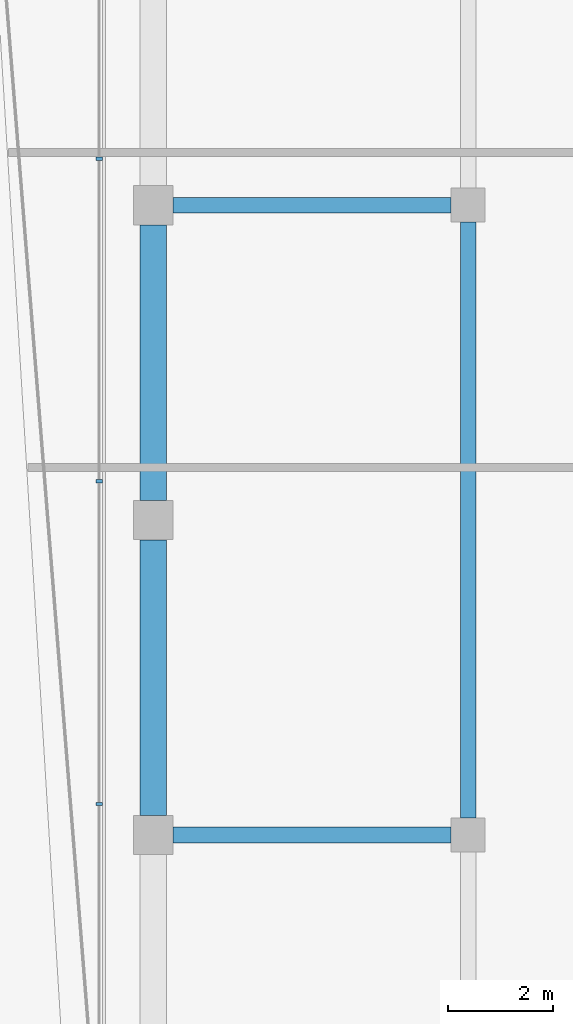
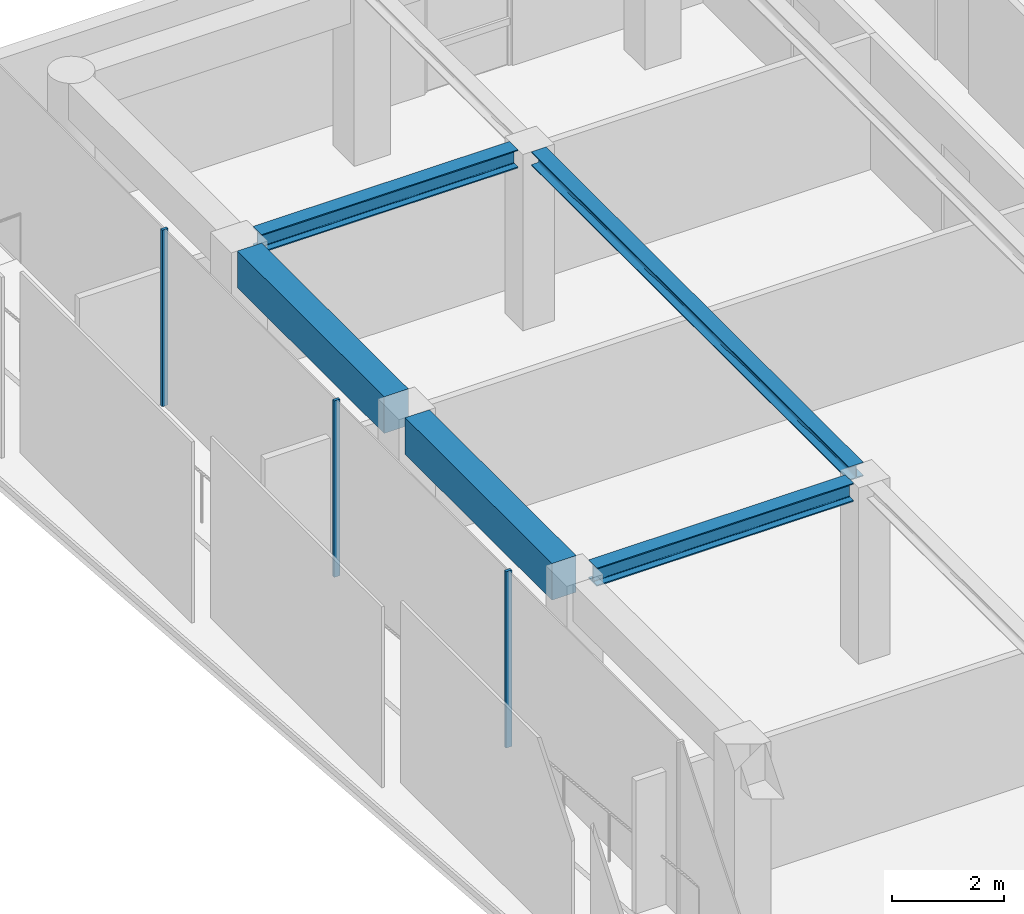
# One storey, part 11 of 21: 5 beams, 3 members, 1 element without a shape of its own.
"""IFC4 building model written with IfcOpenShell, lengths in metres."""

import ifcopenshell
import ifcopenshell.guid

model = None  # the IFC model being written
_history = None  # IfcOwnerHistory: only IFC2X3 demands one
_inside = {}  # id of a spatial element -> (the spatial element, [elements in it])
_under = {}  # id of a project, library or spatial element -> (it, [spatial elements below it])
_declared = {}  # id of a project -> (the project, [libraries it declares])
_typed = {}  # id of a type object -> (the type object, [elements of that type])
_made_of = {}  # id of a material, layer set ... -> (it, [elements and type objects made of it])


def new_model(schema):
    """Start an empty IFC model of exactly this schema.

    Asked for "IFC4X3", IfcOpenShell would pick the latest addendum, in which some entities
    have other attributes; the version numbers below select the first issue.
    IFC2X3 requires an IfcOwnerHistory on every rooted entity: one is made here for all.
    """
    global model, _history
    if schema == "IFC4X3":
        model = ifcopenshell.file(schema_version=(4, 3, 0, 0))
    else:
        model = ifcopenshell.file(schema=schema)
    _inside.clear()
    _under.clear()
    _declared.clear()
    _typed.clear()
    _made_of.clear()
    _history = None
    if model.schema == "IFC2X3":
        org = make("IfcOrganization", Name="unknown")
        user = make(
            "IfcPersonAndOrganization",
            ThePerson=make("IfcPerson", FamilyName="unknown"),
            TheOrganization=org,
        )
        app = make(
            "IfcApplication",
            ApplicationDeveloper=org,
            Version="unknown",
            ApplicationFullName="unknown",
            ApplicationIdentifier="unknown",
        )
        _history = make(
            "IfcOwnerHistory",
            OwningUser=user,
            OwningApplication=app,
            ChangeAction="ADDED",
            CreationDate=0,
        )
    return model


def make(cls, **values):
    """One entity of the class cls with the attributes given. An attribute that is None is left unset."""
    return model.create_entity(
        cls, **{name: value for name, value in values.items() if value is not None}
    )


def rooted(cls, **values):
    """An entity with a GlobalId (a new one), such as an element, a storey or a relation."""
    return make(cls, GlobalId=ifcopenshell.guid.new(), OwnerHistory=_history, **values)


def si_unit(unit_type, name, prefix=None):
    """IfcSIUnit, for example si_unit("LENGTHUNIT", "METRE", prefix="MILLI")."""
    return make("IfcSIUnit", UnitType=unit_type, Prefix=prefix, Name=name)


def assignment(units):
    """IfcUnitAssignment: the units of a project."""
    return None if units is None else make("IfcUnitAssignment", Units=units)


def point(xyz):
    """IfcCartesianPoint."""
    return None if xyz is None else make("IfcCartesianPoint", Coordinates=xyz)


def direction(xyz):
    """IfcDirection."""
    return None if xyz is None else make("IfcDirection", DirectionRatios=xyz)


def frame(location, z_axis=None, x_axis=None):
    """IfcAxis2Placement3D, a coordinate frame: its origin and axes. An axis left out is left unset."""
    return make(
        "IfcAxis2Placement3D",
        Location=point(location),
        Axis=direction(z_axis),
        RefDirection=direction(x_axis),
    )


def frame_2d(location, x_axis=None):
    """IfcAxis2Placement2D, a coordinate frame in the plane: its origin and x axis."""
    return make(
        "IfcAxis2Placement2D", Location=point(location), RefDirection=direction(x_axis)
    )


def origin():
    """The frame at (0, 0, 0) with its axes left unset."""
    return frame((0.0, 0.0, 0.0))


def origin_2d():
    """The frame at (0, 0) in the plane with its x axis left unset."""
    return frame_2d((0.0, 0.0))


def place(relative_to, where):
    """IfcLocalPlacement: puts the frame where relative to a parent placement (None: the world)."""
    return make(
        "IfcLocalPlacement", PlacementRelTo=relative_to, RelativePlacement=where
    )


def context(
    kind, dimensions, precision=None, world=None, true_north=None, identifier=None
):
    """IfcGeometricRepresentationContext, for example the 3D "Model" context."""
    return make(
        "IfcGeometricRepresentationContext",
        ContextIdentifier=identifier,
        ContextType=kind,
        CoordinateSpaceDimension=dimensions,
        Precision=precision,
        WorldCoordinateSystem=world,
        TrueNorth=true_north,
    )


def subcontext(parent, identifier, kind, view, scale=None):
    """IfcGeometricRepresentationSubContext, for example "Body" below "Model"."""
    return make(
        "IfcGeometricRepresentationSubContext",
        ContextIdentifier=identifier,
        ContextType=kind,
        ParentContext=parent,
        TargetScale=scale,
        TargetView=view,
    )


def project(units=None, contexts=None):
    """IfcProject with its units and contexts."""
    return rooted(
        "IfcProject",
        Name="project",
        RepresentationContexts=contexts,
        UnitsInContext=assignment(units),
    )


def spatial(cls, under=None, at=None, **own):
    """A site, building, storey or space (cls), placed at a placement, below another one or the project."""
    s = rooted(cls, ObjectPlacement=at, **own)
    if under is not None:
        _under.setdefault(under.id(), (under, []))[1].append(s)
    return s


def profile(cls, at=None, kind="AREA", **sizes):
    """A parametric profile (cls). Its sizes go by their IFC names, for example OverallWidth=200.0."""
    return make(cls, ProfileType=kind, Position=at, **sizes)


def rectangle(**sizes):
    """IfcRectangleProfileDef."""
    return profile("IfcRectangleProfileDef", **sizes)


def i_section(**sizes):
    """IfcIShapeProfileDef."""
    return profile("IfcIShapeProfileDef", **sizes)


def extrude(swept, where, along, depth):
    """IfcExtrudedAreaSolid: the profile swept, set in the frame where, extruded along a direction by depth."""
    return make(
        "IfcExtrudedAreaSolid",
        SweptArea=swept,
        Position=where,
        ExtrudedDirection=direction(along),
        Depth=depth,
    )


def shape(context_of_items, identifier, shape_type, items):
    """IfcShapeRepresentation: the items that make up one representation, for example the "Body"."""
    return make(
        "IfcShapeRepresentation",
        ContextOfItems=context_of_items,
        RepresentationIdentifier=identifier,
        RepresentationType=shape_type,
        Items=items,
    )


def material(Name=None, Category=None):
    """IfcMaterial."""
    return make("IfcMaterial", Name=Name, Category=Category)


def layer(
    of_material, thickness, ventilated=None, Name=None, Category=None, Priority=None
):
    """IfcMaterialLayer: one layer of a wall or slab, of a material (None: an air gap)."""
    return make(
        "IfcMaterialLayer",
        Material=of_material,
        LayerThickness=thickness,
        IsVentilated=ventilated,
        Name=Name,
        Category=Category,
        Priority=Priority,
    )


def layer_set(layers, Name=None):
    """IfcMaterialLayerSet."""
    return make("IfcMaterialLayerSet", MaterialLayers=layers, LayerSetName=Name)


def material_profile(
    of_material, cross_section, Name=None, Category=None, Priority=None
):
    """IfcMaterialProfile: a cross section and its material."""
    return make(
        "IfcMaterialProfile",
        Name=Name,
        Material=of_material,
        Profile=cross_section,
        Priority=Priority,
        Category=Category,
    )


def profile_set(profiles, Name=None, composite=None):
    """IfcMaterialProfileSet."""
    return make(
        "IfcMaterialProfileSet",
        Name=Name,
        MaterialProfiles=profiles,
        CompositeProfile=composite,
    )


def made_of(thing, what):
    """Note that an element or type object is made of a material, layer set ...; save() writes the relation."""
    if what is not None:
        _made_of.setdefault(what.id(), (what, []))[1].append(thing)
    return thing


def type_object(cls, material=None, **own):
    """A type object (cls), such as IfcWallType, which elements share."""
    return made_of(rooted(cls, **own), material)


def element(
    cls,
    number,
    at=None,
    inside=None,
    cuts=None,
    type_object=None,
    material=None,
    context=None,
    identifier="Body",
    shape_type=None,
    held_by="IfcProductDefinitionShape",
    body=None,
    shapes=None,
    **own,
):
    """One element of the class cls, such as IfcWall. Its Tag is "e" and its number.

    at: its placement. inside: the storey or other place that contains it. cuts: it is an
    opening in that element (IfcRelVoidsElement). A single representation is given by context,
    identifier, shape_type and body (its items); several are given by shapes. held_by: the class
    of the entity that holds the representations. save() writes the other relations.
    """
    e = rooted(cls, Tag="e%d" % number, ObjectPlacement=at, **own)
    if body is not None:
        shapes = [shape(context, identifier, shape_type, body)]
    if shapes is not None:
        e.Representation = make(held_by, Representations=shapes)
    if inside is not None:
        _inside.setdefault(inside.id(), (inside, []))[1].append(e)
    if cuts is not None:
        rooted(
            "IfcRelVoidsElement", RelatingBuildingElement=cuts, RelatedOpeningElement=e
        )
    if type_object is not None:
        _typed.setdefault(type_object.id(), (type_object, []))[1].append(e)
    return made_of(e, material)


def aggregate(whole, parts):
    """IfcRelAggregates: a whole, such as a stair, and the parts it consists of."""
    return rooted("IfcRelAggregates", RelatingObject=whole, RelatedObjects=parts)


def save(model, path):
    """Write the relations noted so far, then the file.

    IfcRelAggregates (storeys below a building ...), IfcRelContainedInSpatialStructure (elements
    in a storey), IfcRelDefinesByType, IfcRelAssociatesMaterial and IfcRelDeclares: one each for
    every whole, place, type object, material and project.
    """
    for whole, parts in _under.values():
        aggregate(whole, parts)
    for where, things in _inside.values():
        rooted(
            "IfcRelContainedInSpatialStructure",
            RelatedElements=things,
            RelatingStructure=where,
        )
    for kind, things in _typed.values():
        rooted("IfcRelDefinesByType", RelatedObjects=things, RelatingType=kind)
    for what, things in _made_of.values():
        rooted("IfcRelAssociatesMaterial", RelatedObjects=things, RelatingMaterial=what)
    for by, libraries in _declared.values():
        rooted("IfcRelDeclares", RelatingContext=by, RelatedDefinitions=libraries)
    model.write(path)


model = new_model("IFC4")

# Units and contexts
model_context = context("Model", 3, precision=1e-05, world=origin(), true_north=direction((0.0, 1.0)))
body_context = subcontext(model_context, "Body", "Model", "MODEL_VIEW")
ifc_project = project(units=[si_unit("LENGTHUNIT", "METRE"), si_unit("AREAUNIT", "SQUARE_METRE"), si_unit("VOLUMEUNIT", "CUBIC_METRE"), si_unit("PLANEANGLEUNIT", "RADIAN"), si_unit("MASSUNIT", "GRAM", prefix="KILO")], contexts=[model_context])

# Site, building, storey
site_placement = place(None, origin())
site = spatial("IfcSite", under=ifc_project, at=site_placement, CompositionType="ELEMENT")
building_placement = place(site_placement, origin())
building = spatial("IfcBuilding", under=site, at=building_placement, Name="Welwitschia Terrace Campus", CompositionType="ELEMENT")
storey_placement = place(building_placement, frame((0.0, 0.0, 302.0)))
storey = spatial("IfcBuildingStorey", under=building, at=storey_placement, Name="L67", CompositionType="ELEMENT", Elevation=302.0)

# Beam
ifc_material_1 = material(Name="Steel S355", Category="steel")
ifc_material_profile_1 = material_profile(ifc_material_1, i_section(OverallWidth=0.300048828125, OverallDepth=0.300048828125, WebThickness=0.010986328125, FlangeThickness=0.01904296875, FilletRadius=0.027099609375, at=origin_2d()))
ifc_profile_set_1 = profile_set([ifc_material_profile_1], Name="Steel S355")
beam_type_1 = type_object("IfcBeamType", Name="Interior girder HE 300 B", PredefinedType="BEAM", material=ifc_profile_set_1)
beam_placement = place(storey_placement, frame((6.0, 44.325439453125, 3.699951171875), z_axis=(0.0, 1.0, 0.0), x_axis=(-1.0, 0.0, 0.0)))
element("IfcBeam", 1, at=beam_placement, inside=storey, type_object=beam_type_1, Name="Girder GB6", PredefinedType="BEAM", context=body_context, shape_type="SweptSolid", body=[
    extrude(i_section(OverallWidth=0.300048828125, OverallDepth=0.300048828125, WebThickness=0.010986328125, FlangeThickness=0.01904296875, FilletRadius=0.027099609375, at=origin_2d()), origin(), (0.0, 0.0, 1.0), 11.34912109375),
])

# Curtain wall, members
ifc_material_2 = material(Name="Bronze anodised aluminium", Category="aluminium")
ifc_layer = layer(ifc_material_2, 0.1201171875)
ifc_layer_set = layer_set([ifc_layer], Name="Bronze anodised aluminium")
curtain_wall_type = type_object("IfcCurtainWallType", Name="Curtain wall CW2 tower 6000", PredefinedType="NOTDEFINED", material=ifc_layer_set)
curtain_wall_placement = place(storey_placement, origin())
curtain_wall = element("IfcCurtainWall", 2, at=curtain_wall_placement, inside=storey, type_object=curtain_wall_type, Name="CW L67.8.0", PredefinedType="NOTDEFINED")
ifc_material_3 = material(Name="Bronze anodised aluminium", Category="aluminium")
ifc_material_profile_2 = material_profile(ifc_material_3, rectangle(XDim=0.1201171875, YDim=0.06005859375, at=origin_2d()))
ifc_profile_set_2 = profile_set([ifc_material_profile_2], Name="Bronze anodised aluminium")
member_type = type_object("IfcMemberType", Name="Mullion 60x120", PredefinedType="MULLION", material=ifc_profile_set_2)
member_1_placement = place(storey_placement, frame((-1.030029296875, 56.88427734375, 0.0), z_axis=(0.0, 0.0, 1.0), x_axis=(1.0, 0.0, 0.0)))
member_1 = element("IfcMember", 3, at=member_1_placement, type_object=member_type, Name="Mullion L67.8.0.1", PredefinedType="MULLION", context=body_context, shape_type="SweptSolid", body=[
    extrude(rectangle(XDim=0.1201171875, YDim=0.06005859375, at=origin_2d()), origin(), (0.0, 0.0, 1.0), 3.85009765625),
])
member_2_placement = place(storey_placement, frame((-1.030029296875, 50.73876953125, 0.0), z_axis=(0.0, 0.0, 1.0), x_axis=(1.0, 0.0, 0.0)))
member_2 = element("IfcMember", 4, at=member_2_placement, type_object=member_type, Name="Mullion L67.8.0.2", PredefinedType="MULLION", context=body_context, shape_type="SweptSolid", body=[
    extrude(rectangle(XDim=0.1201171875, YDim=0.06005859375, at=origin_2d()), origin(), (0.0, 0.0, 1.0), 3.85009765625),
])
member_3_placement = place(storey_placement, frame((-1.030029296875, 44.593017578125, 0.0), z_axis=(0.0, 0.0, 1.0), x_axis=(1.0, 0.0, 0.0)))
member_3 = element("IfcMember", 5, at=member_3_placement, type_object=member_type, Name="Mullion L67.8.0.3", PredefinedType="MULLION", context=body_context, shape_type="SweptSolid", body=[
    extrude(rectangle(XDim=0.1201171875, YDim=0.06005859375, at=origin_2d()), origin(), (0.0, 0.0, 1.0), 3.85009765625),
])
aggregate(curtain_wall, [member_1, member_2, member_3])

# Beams
ifc_material_4 = material(Name="Steel S355", Category="steel")
ifc_material_profile_3 = material_profile(ifc_material_4, i_section(OverallWidth=0.300048828125, OverallDepth=0.39990234375, WebThickness=0.013427734375, FlangeThickness=0.02392578125, FilletRadius=0.027099609375, at=origin_2d()))
ifc_profile_set_3 = profile_set([ifc_material_profile_3], Name="Steel S355")
beam_type_2 = type_object("IfcBeamType", Name="Primary beam HE 400 B", PredefinedType="BEAM", material=ifc_profile_set_3)
for number, where, z_axis, x_axis, name in (
    (6, (0.37548828125, 56.0, 3.64990234375), (1.0, 0.0, 0.0), (0.0, 1.0, 0.0), "Primary beam PB6"),
    (7, (0.37548828125, 44.0, 3.64990234375), (1.0, 0.0, 0.0), (0.0, 1.0, 0.0), "Primary beam PB6"),
):
    element("IfcBeam", number, at=place(storey_placement, frame(where, z_axis=z_axis, x_axis=x_axis)), inside=storey, type_object=beam_type_2, Name=name, PredefinedType="BEAM", context=body_context, shape_type="SweptSolid", body=[
        extrude(i_section(OverallWidth=0.300048828125, OverallDepth=0.39990234375, WebThickness=0.013427734375, FlangeThickness=0.02392578125, FilletRadius=0.027099609375, at=origin_2d()), origin(), (0.0, 0.0, 1.0), 5.299072265625),
    ])
ifc_material_5 = material(Name="Concrete C50/60", Category="concrete")
ifc_material_profile_4 = material_profile(ifc_material_5, rectangle(XDim=0.5, YDim=0.800048828125, at=origin_2d()))
ifc_profile_set_4 = profile_set([ifc_material_profile_4], Name="Concrete C50/60")
beam_type_3 = type_object("IfcBeamType", Name="Ring spandrel 500x800", PredefinedType="SPANDREL", material=ifc_profile_set_4)
for number, where, z_axis, x_axis, name in (
    (8, (0.0, 55.62451171875, 3.449951171875), (0.0, -1.0, 0.0), (1.0, 0.0, 0.0), "Spandrel SP4"),
    (9, (0.0, 49.62451171875, 3.449951171875), (0.0, -1.0, 0.0), (1.0, 0.0, 0.0), "Spandrel SP4"),
):
    element("IfcBeam", number, at=place(storey_placement, frame(where, z_axis=z_axis, x_axis=x_axis)), inside=storey, type_object=beam_type_3, Name=name, PredefinedType="SPANDREL", context=body_context, shape_type="SweptSolid", body=[
        extrude(rectangle(XDim=0.5, YDim=0.800048828125, at=origin_2d()), origin(), (0.0, 0.0, 1.0), 5.2490234375),
    ])

save(model, "model.ifc")
